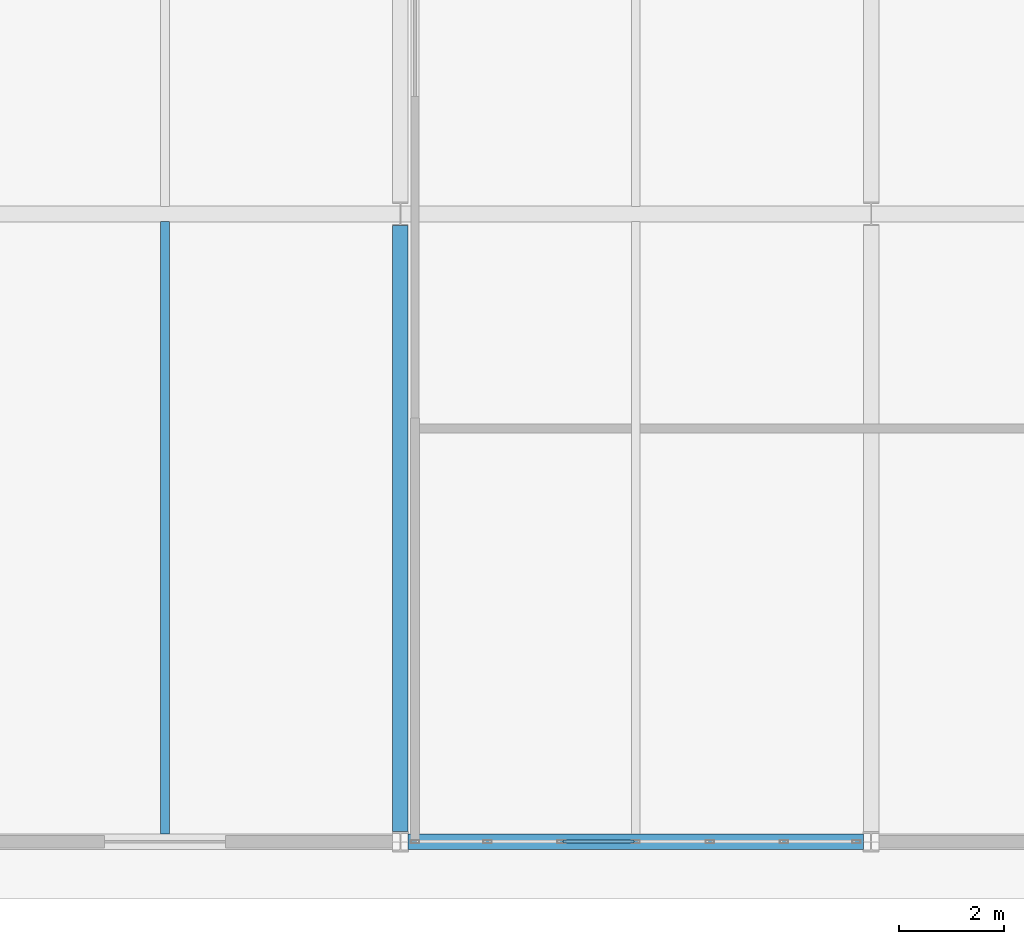
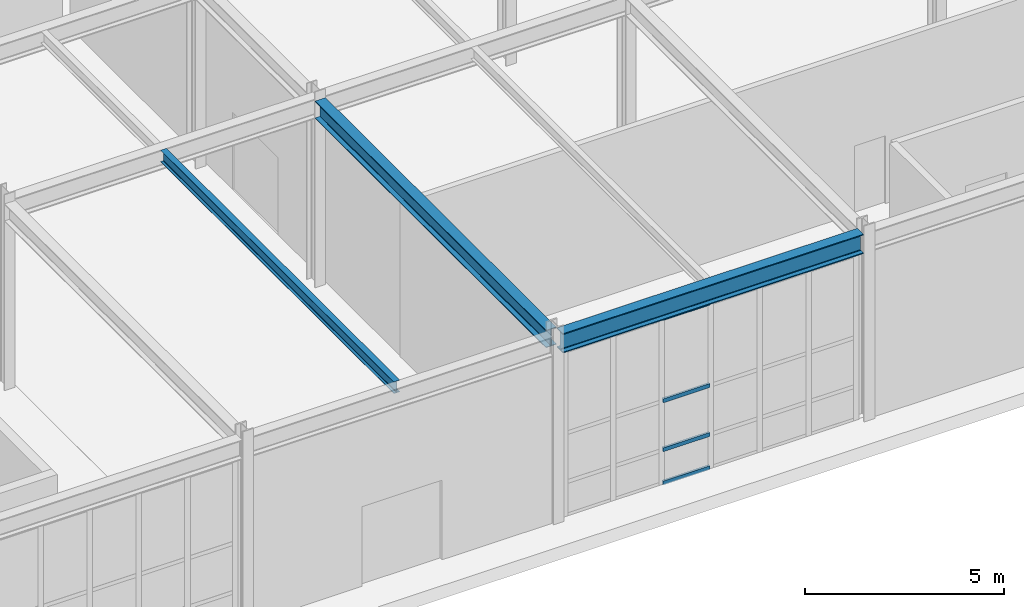
# One storey, part 33 of 146: 4 members, 3 beams, 1 element without a shape of its own.
"""IFC4 building model written with IfcOpenShell, lengths in metres."""

from ifc_helpers import new_model, si_unit, direction, frame, origin, origin_2d, place, context, subcontext, project, spatial, hollow_rectangle, i_section, extrude, material, material_profile, profile_set, type_object, element, aggregate, save


model = new_model("IFC4")

# Units and contexts
model_context = context("Model", 3, precision=1e-05, world=origin(), true_north=direction((0.0, 1.0)))
body_context = subcontext(model_context, "Body", "Model", "MODEL_VIEW")
ifc_project = project(units=[si_unit("LENGTHUNIT", "METRE"), si_unit("AREAUNIT", "SQUARE_METRE"), si_unit("VOLUMEUNIT", "CUBIC_METRE"), si_unit("PLANEANGLEUNIT", "RADIAN"), si_unit("MASSUNIT", "GRAM", prefix="KILO")], contexts=[model_context])

# Site, building, storey
site_placement = place(None, origin())
site = spatial("IfcSite", under=ifc_project, at=site_placement, CompositionType="ELEMENT")
building_placement = place(site_placement, origin())
building = spatial("IfcBuilding", under=site, at=building_placement, Name="Kaldris Quays Convention Centre", CompositionType="ELEMENT")
storey_placement = place(building_placement, origin())
storey = spatial("IfcBuildingStorey", under=building, at=storey_placement, Name="L00", CompositionType="ELEMENT", Elevation=0.0)

# Curtain wall, members
ifc_material_1 = material(Name="Anodized aluminium AW-6060 and triple glazing", Category="aluminium")
curtain_wall_type = type_object("IfcCurtainWallType", Name="UNITISED CURTAIN WALL CW01", PredefinedType="NOTDEFINED", material=ifc_material_1)
curtain_wall_placement = place(storey_placement, origin())
curtain_wall = element("IfcCurtainWall", 1, at=curtain_wall_placement, inside=storey, type_object=curtain_wall_type, Name="L00 Unitised Curtain Wall CW01 47", PredefinedType="NOTDEFINED")
ifc_material_2 = material(Name="Anodized aluminium AW-6060", Category="aluminium")
ifc_material_profile_1 = material_profile(ifc_material_2, hollow_rectangle(XDim=0.06005859375, YDim=0.1201171875, WallThickness=0.00390625, at=origin_2d()), Name="RHS 120x60x4")
ifc_profile_set_1 = profile_set([ifc_material_profile_1], Name="Anodized aluminium AW-6060")
member_type = type_object("IfcMemberType", Name="CURTAIN TRANSOM CWT1", PredefinedType="USERDEFINED", material=ifc_profile_set_1)
member_1_placement = place(storey_placement, frame((59.11328125, 16.0, 0.030029296875), z_axis=(1.0, 0.0, 0.0), x_axis=(0.0, 1.0, 0.0)))
member_1 = element("IfcMember", 2, at=member_1_placement, type_object=member_type, Name="CW01 transom 3.1", ObjectType="TRANSOM", PredefinedType="USERDEFINED", context=body_context, shape_type="SweptSolid", body=[
    extrude(hollow_rectangle(XDim=0.06005859375, YDim=0.1201171875, WallThickness=0.00390625, at=origin_2d()), origin(), (0.0, 0.0, 1.0), 1.356689453125),
])
member_2_placement = place(storey_placement, frame((59.11328125, 16.0, 1.050048828125), z_axis=(1.0, 0.0, 0.0), x_axis=(0.0, 1.0, 0.0)))
member_2 = element("IfcMember", 3, at=member_2_placement, type_object=member_type, Name="CW01 transom 3.2", ObjectType="TRANSOM", PredefinedType="USERDEFINED", context=body_context, shape_type="SweptSolid", body=[
    extrude(hollow_rectangle(XDim=0.06005859375, YDim=0.1201171875, WallThickness=0.00390625, at=origin_2d()), origin(), (0.0, 0.0, 1.0), 1.356689453125),
])
member_3_placement = place(storey_placement, frame((59.11328125, 16.0, 2.549072265625), z_axis=(1.0, 0.0, 0.0), x_axis=(0.0, 1.0, 0.0)))
member_3 = element("IfcMember", 4, at=member_3_placement, type_object=member_type, Name="CW01 transom 3.3", ObjectType="TRANSOM", PredefinedType="USERDEFINED", context=body_context, shape_type="SweptSolid", body=[
    extrude(hollow_rectangle(XDim=0.06005859375, YDim=0.1201171875, WallThickness=0.00390625, at=origin_2d()), origin(), (0.0, 0.0, 1.0), 1.356689453125),
])
member_4_placement = place(storey_placement, frame((59.11328125, 16.0, 5.068115234375), z_axis=(1.0, 0.0, 0.0), x_axis=(0.0, 1.0, 0.0)))
member_4 = element("IfcMember", 5, at=member_4_placement, type_object=member_type, Name="CW01 transom 3.4", ObjectType="TRANSOM", PredefinedType="USERDEFINED", context=body_context, shape_type="SweptSolid", body=[
    extrude(hollow_rectangle(XDim=0.06005859375, YDim=0.1201171875, WallThickness=0.00390625, at=origin_2d()), origin(), (0.0, 0.0, 1.0), 1.356689453125),
])
aggregate(curtain_wall, [member_1, member_2, member_3, member_4])

# Beams
ifc_material_3 = material(Name="Steel S355J2", Category="steel")
ifc_material_profile_2 = material_profile(ifc_material_3, i_section(OverallWidth=0.300048828125, OverallDepth=0.60009765625, WebThickness=0.015380859375, FlangeThickness=0.030029296875, FilletRadius=0.027099609375, at=origin_2d()), Name="HEB 600")
ifc_profile_set_2 = profile_set([ifc_material_profile_2], Name="Steel S355J2")
beam_type_1 = type_object("IfcBeamType", Name="STRUCTURAL BEAM BM05", PredefinedType="BEAM", material=ifc_profile_set_2)
beam_1_placement = place(storey_placement, frame((56.14794921875, 16.0, 5.423095703125), z_axis=(1.0, 0.0, 0.0), x_axis=(0.0, 1.0, 0.0)))
element("IfcBeam", 6, at=beam_1_placement, inside=storey, type_object=beam_type_1, Name="L00 Girder BM05 5", PredefinedType="BEAM", context=body_context, shape_type="SweptSolid", body=[
    extrude(i_section(OverallWidth=0.300048828125, OverallDepth=0.60009765625, WebThickness=0.015380859375, FlangeThickness=0.030029296875, FilletRadius=0.027099609375, at=origin_2d()), origin(), (0.0, 0.0, 1.0), 8.7041015625),
])
ifc_material_profile_3 = material_profile(ifc_material_3, i_section(OverallWidth=0.300048828125, OverallDepth=0.5400390625, WebThickness=0.012451171875, FlangeThickness=0.02392578125, FilletRadius=0.027099609375, at=origin_2d()), Name="HEA 550")
ifc_profile_set_3 = profile_set([ifc_material_profile_3], Name="Steel S355J2")
beam_type_2 = type_object("IfcBeamType", Name="STRUCTURAL BEAM BM13", PredefinedType="BEAM", material=ifc_profile_set_3)
beam_2_placement = place(storey_placement, frame((56.0, 16.19140625, 5.452880859375), z_axis=(0.0, 1.0, 0.0), x_axis=(-1.0, 0.0, 0.0)))
element("IfcBeam", 7, at=beam_2_placement, inside=storey, type_object=beam_type_2, Name="L00 Girder BM13 37", PredefinedType="BEAM", context=body_context, shape_type="SweptSolid", body=[
    extrude(i_section(OverallWidth=0.300048828125, OverallDepth=0.5400390625, WebThickness=0.012451171875, FlangeThickness=0.02392578125, FilletRadius=0.027099609375, at=origin_2d()), origin(), (0.0, 0.0, 1.0), 11.589599609375),
])
ifc_material_profile_4 = material_profile(ifc_material_3, i_section(OverallWidth=0.169921875, OverallDepth=0.360107421875, WebThickness=0.008056640625, FlangeThickness=0.0126953125, FilletRadius=0.01806640625, at=origin_2d()), Name="IPE 360")
ifc_profile_set_4 = profile_set([ifc_material_profile_4], Name="Steel S355J2")
beam_type_3 = type_object("IfcBeamType", Name="STRUCTURAL BEAM JT03", PredefinedType="JOIST", material=ifc_profile_set_4)
beam_3_placement = place(storey_placement, frame((51.5, 16.14404296875, 5.54296875), z_axis=(0.0, 1.0, 0.0), x_axis=(-1.0, 0.0, 0.0)))
element("IfcBeam", 8, at=beam_3_placement, inside=storey, type_object=beam_type_3, Name="L00 Secondary Joist JT03 1", PredefinedType="JOIST", context=body_context, shape_type="SweptSolid", body=[
    extrude(i_section(OverallWidth=0.169921875, OverallDepth=0.360107421875, WebThickness=0.008056640625, FlangeThickness=0.0126953125, FilletRadius=0.01806640625, at=origin_2d()), origin(), (0.0, 0.0, 1.0), 11.7119140625),
])

save(model, "model.ifc")
